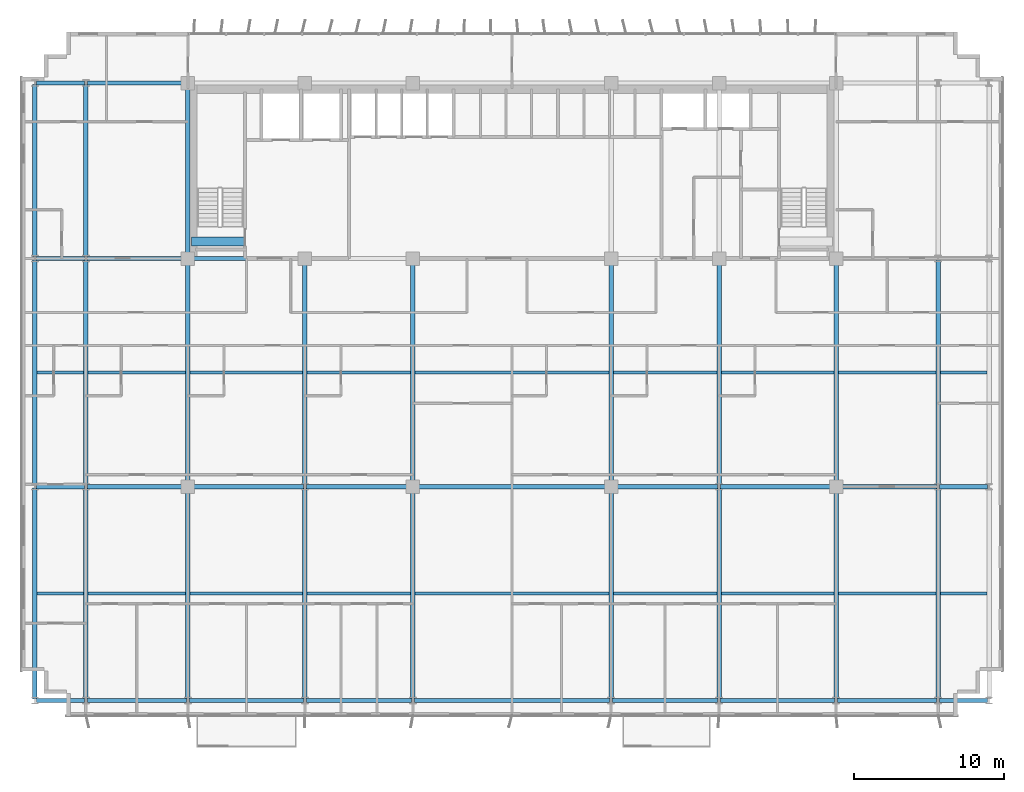
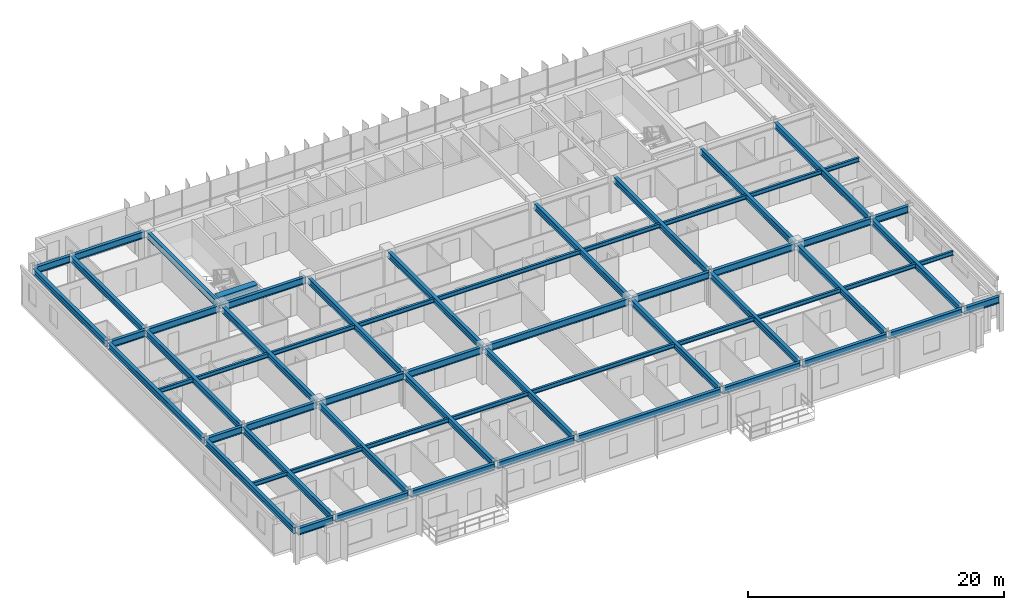
# One storey, part 4 of 24: 63 beams.
"""IFC4 building model written with IfcOpenShell, lengths in metres."""

from ifc_helpers import new_model, si_unit, direction, frame, origin, origin_2d, place, context, subcontext, project, spatial, rectangle, i_section, extrude, source, transform, mapped, material, material_profile, profile_set, type_object, element, save


model = new_model("IFC4")

# Units and contexts
model_context = context("Model", 3, precision=1e-05, world=origin(), true_north=direction((0.0, 1.0)))
body_context = subcontext(model_context, "Body", "Model", "MODEL_VIEW")
ifc_project = project(units=[si_unit("LENGTHUNIT", "METRE"), si_unit("AREAUNIT", "SQUARE_METRE"), si_unit("VOLUMEUNIT", "CUBIC_METRE"), si_unit("PLANEANGLEUNIT", "RADIAN"), si_unit("MASSUNIT", "GRAM", prefix="KILO")], contexts=[model_context])

# Site, building, storey
site_placement = place(None, origin())
site = spatial("IfcSite", under=ifc_project, at=site_placement, CompositionType="ELEMENT")
building_placement = place(site_placement, origin())
building = spatial("IfcBuilding", under=site, at=building_placement, Name="Trelvane Seafront Commons", CompositionType="ELEMENT")
storey_placement = place(building_placement, frame((0.0, 0.0, 27.10009765625)))
storey = spatial("IfcBuildingStorey", under=building, at=storey_placement, Name="L06", CompositionType="ELEMENT", Elevation=27.10009765625)

# Beams
ifc_material_1 = material(Name="Concrete C60/75", Category="concrete")
ifc_material_profile_1 = material_profile(ifc_material_1, rectangle(XDim=0.60009765625, YDim=0.89990234375, at=origin_2d()), Name="RC-600x900")
ifc_profile_set_1 = profile_set([ifc_material_profile_1], Name="Concrete C60/75")
beam_type_1 = type_object("IfcBeamType", Name="STR-LNT-RC600x900", PredefinedType="LINTEL", material=ifc_profile_set_1)
shared_shape_1 = source(origin(), body_context, "Body", "SweptSolid", [
    extrude(rectangle(XDim=0.60009765625, YDim=0.89990234375, at=origin_2d()), origin(), (0.0, 0.0, 1.0), 3.5498046875),
])
beam_1_placement = place(storey_placement, frame((15.85009765625, 34.550048828125, 2.889892578125), z_axis=(1.0, 0.0, 0.0), x_axis=(0.0, 1.0, 0.0)))
element("IfcBeam", 1, at=beam_1_placement, inside=storey, type_object=beam_type_1, Name="L06 Core Coupling Lintel Beam CB-85", PredefinedType="LINTEL", context=body_context, shape_type="MappedRepresentation", body=[
    mapped(shared_shape_1, transform((0.0, 0.0, 0.0), x_axis=(1.0, 0.0, 0.0), y_axis=(0.0, 1.0, 0.0), z_axis=(0.0, 0.0, 1.0), scale=1.0)),
])
ifc_material_2 = material(Name="Steel SM355 (S355)", Category="steel")
ifc_material_profile_2 = material_profile(ifc_material_2, i_section(OverallWidth=0.280029296875, OverallDepth=0.64990234375, WebThickness=0.012939453125, FlangeThickness=0.02197265625, at=origin_2d()), Name="H-650x280x13x22")
ifc_profile_set_2 = profile_set([ifc_material_profile_2], Name="Steel SM355 (S355)")
beam_type_2 = type_object("IfcBeamType", Name="STR-BM-H650", PredefinedType="BEAM", material=ifc_profile_set_2)
shared_shape_2 = source(origin(), body_context, "Body", "SweptSolid", [
    extrude(i_section(OverallWidth=0.280029296875, OverallDepth=0.64990234375, WebThickness=0.012939453125, FlangeThickness=0.02197265625, at=origin_2d()), origin(), (0.0, 0.0, 1.0), 3.190185546875),
])
for number, where, z_axis, x_axis, name in (
    (2, (5.5048828125, 3.949951171875, 3.014892578125), (1.0, 0.0, 0.0), (0.0, 1.0, 0.0), "L06 Primary Girder G-01"),
    (3, (5.5048828125, 18.199951171875, 3.014892578125), (1.0, 0.0, 0.0), (0.0, 1.0, 0.0), "L06 Primary Girder G-10"),
    (4, (5.5048828125, 33.39990234375, 3.014892578125), (1.0, 0.0, 0.0), (0.0, 1.0, 0.0), "L06 Primary Girder G-19"),
    (5, (5.5048828125, 45.10009765625, 3.014892578125), (1.0, 0.0, 0.0), (0.0, 1.0, 0.0), "L06 Primary Girder G-28"),
):
    element("IfcBeam", number, at=place(storey_placement, frame(where, z_axis=z_axis, x_axis=x_axis)), inside=storey, type_object=beam_type_2, Name=name, PredefinedType="BEAM", context=body_context, shape_type="MappedRepresentation", body=[
        mapped(shared_shape_2, transform((0.0, 0.0, 0.0), x_axis=(1.0, 0.0, 0.0), y_axis=(0.0, 1.0, 0.0), z_axis=(0.0, 0.0, 1.0), scale=1.0)),
    ])
shared_shape_3 = source(origin(), body_context, "Body", "SweptSolid", [
    extrude(i_section(OverallWidth=0.280029296875, OverallDepth=0.64990234375, WebThickness=0.012939453125, FlangeThickness=0.02197265625, at=origin_2d()), origin(), (0.0, 0.0, 1.0), 6.590087890625),
])
for number, where, z_axis, x_axis, name in (
    (6, (8.905029296875, 3.949951171875, 3.014892578125), (1.0, 0.0, 0.0), (0.0, 1.0, 0.0), "L06 Primary Girder G-02"),
    (7, (58.905029296875, 3.949951171875, 3.014892578125), (1.0, 0.0, 0.0), (0.0, 1.0, 0.0), "L06 Primary Girder G-08"),
):
    element("IfcBeam", number, at=place(storey_placement, frame(where, z_axis=z_axis, x_axis=x_axis)), inside=storey, type_object=beam_type_2, Name=name, PredefinedType="BEAM", context=body_context, shape_type="MappedRepresentation", body=[
        mapped(shared_shape_3, transform((0.0, 0.0, 0.0), x_axis=(1.0, 0.0, 0.0), y_axis=(0.0, 1.0, 0.0), z_axis=(0.0, 0.0, 1.0), scale=1.0)),
    ])
shared_shape_4 = source(origin(), body_context, "Body", "SweptSolid", [
    extrude(i_section(OverallWidth=0.280029296875, OverallDepth=0.64990234375, WebThickness=0.012939453125, FlangeThickness=0.02197265625, at=origin_2d()), origin(), (0.0, 0.0, 1.0), 7.58984375),
])
beam_2_placement = place(storey_placement, frame((15.705078125, 3.949951171875, 3.014892578125), z_axis=(1.0, 0.0, 0.0), x_axis=(0.0, 1.0, 0.0)))
element("IfcBeam", 8, at=beam_2_placement, inside=storey, type_object=beam_type_2, Name="L06 Primary Girder G-03", PredefinedType="BEAM", context=body_context, shape_type="MappedRepresentation", body=[
    mapped(shared_shape_4, transform((0.0, 0.0, 0.0), x_axis=(1.0, 0.0, 0.0), y_axis=(0.0, 1.0, 0.0), z_axis=(0.0, 0.0, 1.0), scale=1.0)),
])
shared_shape_5 = source(origin(), body_context, "Body", "SweptSolid", [
    extrude(i_section(OverallWidth=0.280029296875, OverallDepth=0.64990234375, WebThickness=0.012939453125, FlangeThickness=0.02197265625, at=origin_2d()), origin(), (0.0, 0.0, 1.0), 6.990234375),
])
beam_3_placement = place(storey_placement, frame((23.5048828125, 3.949951171875, 3.014892578125), z_axis=(1.0, 0.0, 0.0), x_axis=(0.0, 1.0, 0.0)))
element("IfcBeam", 9, at=beam_3_placement, inside=storey, type_object=beam_type_2, Name="L06 Primary Girder G-04", PredefinedType="BEAM", context=body_context, shape_type="MappedRepresentation", body=[
    mapped(shared_shape_5, transform((0.0, 0.0, 0.0), x_axis=(1.0, 0.0, 0.0), y_axis=(0.0, 1.0, 0.0), z_axis=(0.0, 0.0, 1.0), scale=1.0)),
])
shared_shape_6 = source(origin(), body_context, "Body", "SweptSolid", [
    extrude(i_section(OverallWidth=0.280029296875, OverallDepth=0.64990234375, WebThickness=0.012939453125, FlangeThickness=0.02197265625, at=origin_2d()), origin(), (0.0, 0.0, 1.0), 12.989990234375),
])
beam_4_placement = place(storey_placement, frame((30.705078125, 3.949951171875, 3.014892578125), z_axis=(1.0, 0.0, 0.0), x_axis=(0.0, 1.0, 0.0)))
element("IfcBeam", 10, at=beam_4_placement, inside=storey, type_object=beam_type_2, Name="L06 Primary Girder G-05", PredefinedType="BEAM", context=body_context, shape_type="MappedRepresentation", body=[
    mapped(shared_shape_6, transform((0.0, 0.0, 0.0), x_axis=(1.0, 0.0, 0.0), y_axis=(0.0, 1.0, 0.0), z_axis=(0.0, 0.0, 1.0), scale=1.0)),
])
shared_shape_7 = source(origin(), body_context, "Body", "SweptSolid", [
    extrude(i_section(OverallWidth=0.280029296875, OverallDepth=0.64990234375, WebThickness=0.012939453125, FlangeThickness=0.02197265625, at=origin_2d()), origin(), (0.0, 0.0, 1.0), 6.989990234375),
])
beam_5_placement = place(storey_placement, frame((43.905029296875, 3.949951171875, 3.014892578125), z_axis=(1.0, 0.0, 0.0), x_axis=(0.0, 1.0, 0.0)))
element("IfcBeam", 11, at=beam_5_placement, inside=storey, type_object=beam_type_2, Name="L06 Primary Girder G-06", PredefinedType="BEAM", context=body_context, shape_type="MappedRepresentation", body=[
    mapped(shared_shape_7, transform((0.0, 0.0, 0.0), x_axis=(1.0, 0.0, 0.0), y_axis=(0.0, 1.0, 0.0), z_axis=(0.0, 0.0, 1.0), scale=1.0)),
])
shared_shape_8 = source(origin(), body_context, "Body", "SweptSolid", [
    extrude(i_section(OverallWidth=0.280029296875, OverallDepth=0.64990234375, WebThickness=0.012939453125, FlangeThickness=0.02197265625, at=origin_2d()), origin(), (0.0, 0.0, 1.0), 7.590087890625),
])
beam_6_placement = place(storey_placement, frame((51.10498046875, 3.949951171875, 3.014892578125), z_axis=(1.0, 0.0, 0.0), x_axis=(0.0, 1.0, 0.0)))
element("IfcBeam", 12, at=beam_6_placement, inside=storey, type_object=beam_type_2, Name="L06 Primary Girder G-07", PredefinedType="BEAM", context=body_context, shape_type="MappedRepresentation", body=[
    mapped(shared_shape_8, transform((0.0, 0.0, 0.0), x_axis=(1.0, 0.0, 0.0), y_axis=(0.0, 1.0, 0.0), z_axis=(0.0, 0.0, 1.0), scale=1.0)),
])
shared_shape_9 = source(origin(), body_context, "Body", "SweptSolid", [
    extrude(i_section(OverallWidth=0.280029296875, OverallDepth=0.64990234375, WebThickness=0.012939453125, FlangeThickness=0.02197265625, at=origin_2d()), origin(), (0.0, 0.0, 1.0), 3.18994140625),
])
for number, where, z_axis, x_axis, name in (
    (13, (65.705078125, 3.949951171875, 3.014892578125), (1.0, 0.0, 0.0), (0.0, 1.0, 0.0), "L06 Primary Girder G-09"),
    (14, (65.705078125, 18.199951171875, 3.014892578125), (1.0, 0.0, 0.0), (0.0, 1.0, 0.0), "L06 Primary Girder G-18"),
):
    element("IfcBeam", number, at=place(storey_placement, frame(where, z_axis=z_axis, x_axis=x_axis)), inside=storey, type_object=beam_type_2, Name=name, PredefinedType="BEAM", context=body_context, shape_type="MappedRepresentation", body=[
        mapped(shared_shape_9, transform((0.0, 0.0, 0.0), x_axis=(1.0, 0.0, 0.0), y_axis=(0.0, 1.0, 0.0), z_axis=(0.0, 0.0, 1.0), scale=1.0)),
    ])
shared_shape_10 = source(origin(), body_context, "Body", "SweptSolid", [
    extrude(i_section(OverallWidth=0.280029296875, OverallDepth=0.64990234375, WebThickness=0.012939453125, FlangeThickness=0.02197265625, at=origin_2d()), origin(), (0.0, 0.0, 1.0), 6.544921875),
])
for number, where, z_axis, x_axis, name in (
    (15, (8.905029296875, 18.199951171875, 3.014892578125), (1.0, 0.0, 0.0), (0.0, 1.0, 0.0), "L06 Primary Girder G-11"),
    (16, (8.905029296875, 33.39990234375, 3.014892578125), (1.0, 0.0, 0.0), (0.0, 1.0, 0.0), "L06 Primary Girder G-20"),
    (17, (8.905029296875, 45.10009765625, 3.014892578125), (1.0, 0.0, 0.0), (0.0, 1.0, 0.0), "L06 Primary Girder G-29"),
):
    element("IfcBeam", number, at=place(storey_placement, frame(where, z_axis=z_axis, x_axis=x_axis)), inside=storey, type_object=beam_type_2, Name=name, PredefinedType="BEAM", context=body_context, shape_type="MappedRepresentation", body=[
        mapped(shared_shape_10, transform((0.0, 0.0, 0.0), x_axis=(1.0, 0.0, 0.0), y_axis=(0.0, 1.0, 0.0), z_axis=(0.0, 0.0, 1.0), scale=1.0)),
    ])
shared_shape_11 = source(origin(), body_context, "Body", "SweptSolid", [
    extrude(i_section(OverallWidth=0.280029296875, OverallDepth=0.64990234375, WebThickness=0.012939453125, FlangeThickness=0.02197265625, at=origin_2d()), origin(), (0.0, 0.0, 1.0), 7.544921875),
])
for number, where, z_axis, x_axis, name in (
    (18, (15.75, 18.199951171875, 3.014892578125), (1.0, 0.0, 0.0), (0.0, 1.0, 0.0), "L06 Primary Girder G-12"),
    (19, (51.10498046875, 18.199951171875, 3.014892578125), (1.0, 0.0, 0.0), (0.0, 1.0, 0.0), "L06 Primary Girder G-16"),
):
    element("IfcBeam", number, at=place(storey_placement, frame(where, z_axis=z_axis, x_axis=x_axis)), inside=storey, type_object=beam_type_2, Name=name, PredefinedType="BEAM", context=body_context, shape_type="MappedRepresentation", body=[
        mapped(shared_shape_11, transform((0.0, 0.0, 0.0), x_axis=(1.0, 0.0, 0.0), y_axis=(0.0, 1.0, 0.0), z_axis=(0.0, 0.0, 1.0), scale=1.0)),
    ])
shared_shape_12 = source(origin(), body_context, "Body", "SweptSolid", [
    extrude(i_section(OverallWidth=0.280029296875, OverallDepth=0.64990234375, WebThickness=0.012939453125, FlangeThickness=0.02197265625, at=origin_2d()), origin(), (0.0, 0.0, 1.0), 6.945068359375),
])
for number, where, z_axis, x_axis, name in (
    (20, (23.5048828125, 18.199951171875, 3.014892578125), (1.0, 0.0, 0.0), (0.0, 1.0, 0.0), "L06 Primary Girder G-13"),
    (21, (43.949951171875, 18.199951171875, 3.014892578125), (1.0, 0.0, 0.0), (0.0, 1.0, 0.0), "L06 Primary Girder G-15"),
):
    element("IfcBeam", number, at=place(storey_placement, frame(where, z_axis=z_axis, x_axis=x_axis)), inside=storey, type_object=beam_type_2, Name=name, PredefinedType="BEAM", context=body_context, shape_type="MappedRepresentation", body=[
        mapped(shared_shape_12, transform((0.0, 0.0, 0.0), x_axis=(1.0, 0.0, 0.0), y_axis=(0.0, 1.0, 0.0), z_axis=(0.0, 0.0, 1.0), scale=1.0)),
    ])
shared_shape_13 = source(origin(), body_context, "Body", "SweptSolid", [
    extrude(i_section(OverallWidth=0.280029296875, OverallDepth=0.64990234375, WebThickness=0.012939453125, FlangeThickness=0.02197265625, at=origin_2d()), origin(), (0.0, 0.0, 1.0), 12.89990234375),
])
beam_7_placement = place(storey_placement, frame((30.75, 18.199951171875, 3.014892578125), z_axis=(1.0, 0.0, 0.0), x_axis=(0.0, 1.0, 0.0)))
element("IfcBeam", 22, at=beam_7_placement, inside=storey, type_object=beam_type_2, Name="L06 Primary Girder G-14", PredefinedType="BEAM", context=body_context, shape_type="MappedRepresentation", body=[
    mapped(shared_shape_13, transform((0.0, 0.0, 0.0), x_axis=(1.0, 0.0, 0.0), y_axis=(0.0, 1.0, 0.0), z_axis=(0.0, 0.0, 1.0), scale=1.0)),
])
shared_shape_14 = source(origin(), body_context, "Body", "SweptSolid", [
    extrude(i_section(OverallWidth=0.280029296875, OverallDepth=0.64990234375, WebThickness=0.012939453125, FlangeThickness=0.02197265625, at=origin_2d()), origin(), (0.0, 0.0, 1.0), 6.545166015625),
])
beam_8_placement = place(storey_placement, frame((58.949951171875, 18.199951171875, 3.014892578125), z_axis=(1.0, 0.0, 0.0), x_axis=(0.0, 1.0, 0.0)))
element("IfcBeam", 23, at=beam_8_placement, inside=storey, type_object=beam_type_2, Name="L06 Primary Girder G-17", PredefinedType="BEAM", context=body_context, shape_type="MappedRepresentation", body=[
    mapped(shared_shape_14, transform((0.0, 0.0, 0.0), x_axis=(1.0, 0.0, 0.0), y_axis=(0.0, 1.0, 0.0), z_axis=(0.0, 0.0, 1.0), scale=1.0)),
])
shared_shape_15 = source(origin(), body_context, "Body", "SweptSolid", [
    extrude(i_section(OverallWidth=0.280029296875, OverallDepth=0.64990234375, WebThickness=0.012939453125, FlangeThickness=0.02197265625, at=origin_2d()), origin(), (0.0, 0.0, 1.0), 7.5),
])
beam_9_placement = place(storey_placement, frame((15.75, 33.39990234375, 3.014892578125), z_axis=(1.0, 0.0, 0.0), x_axis=(0.0, 1.0, 0.0)))
element("IfcBeam", 24, at=beam_9_placement, inside=storey, type_object=beam_type_2, Name="L06 Primary Girder G-21", PredefinedType="BEAM", context=body_context, shape_type="MappedRepresentation", body=[
    mapped(shared_shape_15, transform((0.0, 0.0, 0.0), x_axis=(1.0, 0.0, 0.0), y_axis=(0.0, 1.0, 0.0), z_axis=(0.0, 0.0, 1.0), scale=1.0)),
])
ifc_material_profile_3 = material_profile(ifc_material_2, i_section(OverallWidth=0.300048828125, OverallDepth=0.587890625, WebThickness=0.011962890625, FlangeThickness=0.02001953125, at=origin_2d()), Name="H-588x300x12x20")
ifc_profile_set_3 = profile_set([ifc_material_profile_3], Name="Steel SM355 (S355)")
beam_type_3 = type_object("IfcBeamType", Name="STR-BM-H588", PredefinedType="BEAM", material=ifc_profile_set_3)
shared_shape_16 = source(origin(), body_context, "Body", "SweptSolid", [
    extrude(i_section(OverallWidth=0.300048828125, OverallDepth=0.587890625, WebThickness=0.011962890625, FlangeThickness=0.02001953125, at=origin_2d()), origin(), (0.0, 0.0, 1.0), 14.0400390625),
])
for number, where, z_axis, x_axis, name in (
    (25, (5.39990234375, 4.054931640625, 3.0458984375), (0.0, 1.0, 0.0), (-1.0, 0.0, 0.0), "L06 Primary Girder G-37"),
    (26, (8.800048828125, 4.054931640625, 3.0458984375), (0.0, 1.0, 0.0), (-1.0, 0.0, 0.0), "L06 Primary Girder G-40"),
    (27, (23.39990234375, 4.054931640625, 3.0458984375), (0.0, 1.0, 0.0), (-1.0, 0.0, 0.0), "L06 Primary Girder G-46"),
    (28, (51.0, 4.054931640625, 3.0458984375), (0.0, 1.0, 0.0), (-1.0, 0.0, 0.0), "L06 Primary Girder G-55"),
    (29, (65.60009765625, 4.054931640625, 3.0458984375), (0.0, 1.0, 0.0), (-1.0, 0.0, 0.0), "L06 Primary Girder G-61"),
):
    element("IfcBeam", number, at=place(storey_placement, frame(where, z_axis=z_axis, x_axis=x_axis)), inside=storey, type_object=beam_type_3, Name=name, PredefinedType="BEAM", context=body_context, shape_type="MappedRepresentation", body=[
        mapped(shared_shape_16, transform((0.0, 0.0, 0.0), x_axis=(1.0, 0.0, 0.0), y_axis=(0.0, 1.0, 0.0), z_axis=(0.0, 0.0, 1.0), scale=1.0)),
    ])
shared_shape_17 = source(origin(), body_context, "Body", "SweptSolid", [
    extrude(i_section(OverallWidth=0.300048828125, OverallDepth=0.587890625, WebThickness=0.011962890625, FlangeThickness=0.02001953125, at=origin_2d()), origin(), (0.0, 0.0, 1.0), 14.989990234375),
])
for number, where, z_axis, x_axis, name in (
    (30, (5.39990234375, 18.304931640625, 3.0458984375), (0.0, 1.0, 0.0), (-1.0, 0.0, 0.0), "L06 Primary Girder G-38"),
    (31, (8.800048828125, 18.304931640625, 3.0458984375), (0.0, 1.0, 0.0), (-1.0, 0.0, 0.0), "L06 Primary Girder G-41"),
    (32, (65.60009765625, 18.304931640625, 3.0458984375), (0.0, 1.0, 0.0), (-1.0, 0.0, 0.0), "L06 Primary Girder G-62"),
):
    element("IfcBeam", number, at=place(storey_placement, frame(where, z_axis=z_axis, x_axis=x_axis)), inside=storey, type_object=beam_type_3, Name=name, PredefinedType="BEAM", context=body_context, shape_type="MappedRepresentation", body=[
        mapped(shared_shape_17, transform((0.0, 0.0, 0.0), x_axis=(1.0, 0.0, 0.0), y_axis=(0.0, 1.0, 0.0), z_axis=(0.0, 0.0, 1.0), scale=1.0)),
    ])
shared_shape_18 = source(origin(), body_context, "Body", "SweptSolid", [
    extrude(i_section(OverallWidth=0.300048828125, OverallDepth=0.587890625, WebThickness=0.011962890625, FlangeThickness=0.02001953125, at=origin_2d()), origin(), (0.0, 0.0, 1.0), 11.490234375),
])
for number, where, z_axis, x_axis, name in (
    (33, (5.39990234375, 33.5048828125, 3.0458984375), (0.0, 1.0, 0.0), (-1.0, 0.0, 0.0), "L06 Primary Girder G-39"),
    (34, (8.800048828125, 33.5048828125, 3.0458984375), (0.0, 1.0, 0.0), (-1.0, 0.0, 0.0), "L06 Primary Girder G-42"),
):
    element("IfcBeam", number, at=place(storey_placement, frame(where, z_axis=z_axis, x_axis=x_axis)), inside=storey, type_object=beam_type_3, Name=name, PredefinedType="BEAM", context=body_context, shape_type="MappedRepresentation", body=[
        mapped(shared_shape_18, transform((0.0, 0.0, 0.0), x_axis=(1.0, 0.0, 0.0), y_axis=(0.0, 1.0, 0.0), z_axis=(0.0, 0.0, 1.0), scale=1.0)),
    ])
shared_shape_19 = source(origin(), body_context, "Body", "SweptSolid", [
    extrude(i_section(OverallWidth=0.300048828125, OverallDepth=0.587890625, WebThickness=0.011962890625, FlangeThickness=0.02001953125, at=origin_2d()), origin(), (0.0, 0.0, 1.0), 13.9951171875),
])
for number, where, z_axis, x_axis, name in (
    (35, (15.60009765625, 4.054931640625, 3.0458984375), (0.0, 1.0, 0.0), (-1.0, 0.0, 0.0), "L06 Primary Girder G-43"),
    (36, (30.60009765625, 4.054931640625, 3.0458984375), (0.0, 1.0, 0.0), (-1.0, 0.0, 0.0), "L06 Primary Girder G-49"),
    (37, (43.800048828125, 4.054931640625, 3.0458984375), (0.0, 1.0, 0.0), (-1.0, 0.0, 0.0), "L06 Primary Girder G-52"),
    (38, (58.800048828125, 4.054931640625, 3.0458984375), (0.0, 1.0, 0.0), (-1.0, 0.0, 0.0), "L06 Primary Girder G-58"),
):
    element("IfcBeam", number, at=place(storey_placement, frame(where, z_axis=z_axis, x_axis=x_axis)), inside=storey, type_object=beam_type_3, Name=name, PredefinedType="BEAM", context=body_context, shape_type="MappedRepresentation", body=[
        mapped(shared_shape_19, transform((0.0, 0.0, 0.0), x_axis=(1.0, 0.0, 0.0), y_axis=(0.0, 1.0, 0.0), z_axis=(0.0, 0.0, 1.0), scale=1.0)),
    ])
shared_shape_20 = source(origin(), body_context, "Body", "SweptSolid", [
    extrude(i_section(OverallWidth=0.300048828125, OverallDepth=0.587890625, WebThickness=0.011962890625, FlangeThickness=0.02001953125, at=origin_2d()), origin(), (0.0, 0.0, 1.0), 14.89990234375),
])
for number, where, z_axis, x_axis, name in (
    (39, (15.60009765625, 18.35009765625, 3.0458984375), (0.0, 1.0, 0.0), (-1.0, 0.0, 0.0), "L06 Primary Girder G-44"),
    (40, (30.60009765625, 18.35009765625, 3.0458984375), (0.0, 1.0, 0.0), (-1.0, 0.0, 0.0), "L06 Primary Girder G-50"),
    (41, (43.800048828125, 18.35009765625, 3.0458984375), (0.0, 1.0, 0.0), (-1.0, 0.0, 0.0), "L06 Primary Girder G-53"),
    (42, (58.800048828125, 18.35009765625, 3.0458984375), (0.0, 1.0, 0.0), (-1.0, 0.0, 0.0), "L06 Primary Girder G-59"),
):
    element("IfcBeam", number, at=place(storey_placement, frame(where, z_axis=z_axis, x_axis=x_axis)), inside=storey, type_object=beam_type_3, Name=name, PredefinedType="BEAM", context=body_context, shape_type="MappedRepresentation", body=[
        mapped(shared_shape_20, transform((0.0, 0.0, 0.0), x_axis=(1.0, 0.0, 0.0), y_axis=(0.0, 1.0, 0.0), z_axis=(0.0, 0.0, 1.0), scale=1.0)),
    ])
shared_shape_21 = source(origin(), body_context, "Body", "SweptSolid", [
    extrude(i_section(OverallWidth=0.300048828125, OverallDepth=0.587890625, WebThickness=0.011962890625, FlangeThickness=0.02001953125, at=origin_2d()), origin(), (0.0, 0.0, 1.0), 11.39990234375),
])
beam_10_placement = place(storey_placement, frame((15.60009765625, 33.550048828125, 3.0458984375), z_axis=(0.0, 1.0, 0.0), x_axis=(-1.0, 0.0, 0.0)))
element("IfcBeam", 43, at=beam_10_placement, inside=storey, type_object=beam_type_3, Name="L06 Primary Girder G-45", PredefinedType="BEAM", context=body_context, shape_type="MappedRepresentation", body=[
    mapped(shared_shape_21, transform((0.0, 0.0, 0.0), x_axis=(1.0, 0.0, 0.0), y_axis=(0.0, 1.0, 0.0), z_axis=(0.0, 0.0, 1.0), scale=1.0)),
])
shared_shape_22 = source(origin(), body_context, "Body", "SweptSolid", [
    extrude(i_section(OverallWidth=0.300048828125, OverallDepth=0.587890625, WebThickness=0.011962890625, FlangeThickness=0.02001953125, at=origin_2d()), origin(), (0.0, 0.0, 1.0), 14.945068359375),
])
for number, where, z_axis, x_axis, name in (
    (44, (23.39990234375, 18.304931640625, 3.0458984375), (0.0, 1.0, 0.0), (-1.0, 0.0, 0.0), "L06 Primary Girder G-47"),
    (45, (51.0, 18.304931640625, 3.0458984375), (0.0, 1.0, 0.0), (-1.0, 0.0, 0.0), "L06 Primary Girder G-56"),
):
    element("IfcBeam", number, at=place(storey_placement, frame(where, z_axis=z_axis, x_axis=x_axis)), inside=storey, type_object=beam_type_3, Name=name, PredefinedType="BEAM", context=body_context, shape_type="MappedRepresentation", body=[
        mapped(shared_shape_22, transform((0.0, 0.0, 0.0), x_axis=(1.0, 0.0, 0.0), y_axis=(0.0, 1.0, 0.0), z_axis=(0.0, 0.0, 1.0), scale=1.0)),
    ])
ifc_material_profile_4 = material_profile(ifc_material_2, i_section(OverallWidth=0.199951171875, OverallDepth=0.39990234375, WebThickness=0.008056640625, FlangeThickness=0.012939453125, at=origin_2d()), Name="H-400x200x8x13")
ifc_profile_set_4 = profile_set([ifc_material_profile_4], Name="Steel SM355 (S355)")
beam_type_4 = type_object("IfcBeamType", Name="STR-JST-H400", PredefinedType="JOIST", material=ifc_profile_set_4)
shared_shape_23 = source(origin(), body_context, "Body", "SweptSolid", [
    extrude(i_section(OverallWidth=0.199951171875, OverallDepth=0.39990234375, WebThickness=0.008056640625, FlangeThickness=0.012939453125, at=origin_2d()), origin(), (0.0, 0.0, 1.0), 3.099853515625),
])
for number, where, z_axis, x_axis, name in (
    (46, (5.550048828125, 11.074951171875, 3.139892578125), (1.0, 0.0, 0.0), (0.0, 1.0, 0.0), "L06 Secondary Floor Joist B-67"),
    (47, (5.550048828125, 25.800048828125, 3.139892578125), (1.0, 0.0, 0.0), (0.0, 1.0, 0.0), "L06 Secondary Floor Joist B-76"),
):
    element("IfcBeam", number, at=place(storey_placement, frame(where, z_axis=z_axis, x_axis=x_axis)), inside=storey, type_object=beam_type_4, Name=name, PredefinedType="JOIST", context=body_context, shape_type="MappedRepresentation", body=[
        mapped(shared_shape_23, transform((0.0, 0.0, 0.0), x_axis=(1.0, 0.0, 0.0), y_axis=(0.0, 1.0, 0.0), z_axis=(0.0, 0.0, 1.0), scale=1.0)),
    ])
shared_shape_24 = source(origin(), body_context, "Body", "SweptSolid", [
    extrude(i_section(OverallWidth=0.199951171875, OverallDepth=0.39990234375, WebThickness=0.008056640625, FlangeThickness=0.012939453125, at=origin_2d()), origin(), (0.0, 0.0, 1.0), 6.5),
])
for number, where, z_axis, x_axis, name in (
    (48, (8.949951171875, 11.074951171875, 3.139892578125), (1.0, 0.0, 0.0), (0.0, 1.0, 0.0), "L06 Secondary Floor Joist B-68"),
    (49, (58.949951171875, 11.074951171875, 3.139892578125), (1.0, 0.0, 0.0), (0.0, 1.0, 0.0), "L06 Secondary Floor Joist B-74"),
    (50, (8.949951171875, 25.800048828125, 3.139892578125), (1.0, 0.0, 0.0), (0.0, 1.0, 0.0), "L06 Secondary Floor Joist B-77"),
    (51, (58.949951171875, 25.800048828125, 3.139892578125), (1.0, 0.0, 0.0), (0.0, 1.0, 0.0), "L06 Secondary Floor Joist B-83"),
):
    element("IfcBeam", number, at=place(storey_placement, frame(where, z_axis=z_axis, x_axis=x_axis)), inside=storey, type_object=beam_type_4, Name=name, PredefinedType="JOIST", context=body_context, shape_type="MappedRepresentation", body=[
        mapped(shared_shape_24, transform((0.0, 0.0, 0.0), x_axis=(1.0, 0.0, 0.0), y_axis=(0.0, 1.0, 0.0), z_axis=(0.0, 0.0, 1.0), scale=1.0)),
    ])
shared_shape_25 = source(origin(), body_context, "Body", "SweptSolid", [
    extrude(i_section(OverallWidth=0.199951171875, OverallDepth=0.39990234375, WebThickness=0.008056640625, FlangeThickness=0.012939453125, at=origin_2d()), origin(), (0.0, 0.0, 1.0), 7.5),
])
for number, where, z_axis, x_axis, name in (
    (52, (15.75, 11.074951171875, 3.139892578125), (1.0, 0.0, 0.0), (0.0, 1.0, 0.0), "L06 Secondary Floor Joist B-69"),
    (53, (51.14990234375, 11.074951171875, 3.139892578125), (1.0, 0.0, 0.0), (0.0, 1.0, 0.0), "L06 Secondary Floor Joist B-73"),
    (54, (15.75, 25.800048828125, 3.139892578125), (1.0, 0.0, 0.0), (0.0, 1.0, 0.0), "L06 Secondary Floor Joist B-78"),
    (55, (51.14990234375, 25.800048828125, 3.139892578125), (1.0, 0.0, 0.0), (0.0, 1.0, 0.0), "L06 Secondary Floor Joist B-82"),
):
    element("IfcBeam", number, at=place(storey_placement, frame(where, z_axis=z_axis, x_axis=x_axis)), inside=storey, type_object=beam_type_4, Name=name, PredefinedType="JOIST", context=body_context, shape_type="MappedRepresentation", body=[
        mapped(shared_shape_25, transform((0.0, 0.0, 0.0), x_axis=(1.0, 0.0, 0.0), y_axis=(0.0, 1.0, 0.0), z_axis=(0.0, 0.0, 1.0), scale=1.0)),
    ])
shared_shape_26 = source(origin(), body_context, "Body", "SweptSolid", [
    extrude(i_section(OverallWidth=0.199951171875, OverallDepth=0.39990234375, WebThickness=0.008056640625, FlangeThickness=0.012939453125, at=origin_2d()), origin(), (0.0, 0.0, 1.0), 6.89990234375),
])
for number, where, z_axis, x_axis, name in (
    (56, (23.550048828125, 11.074951171875, 3.139892578125), (1.0, 0.0, 0.0), (0.0, 1.0, 0.0), "L06 Secondary Floor Joist B-70"),
    (57, (23.550048828125, 25.800048828125, 3.139892578125), (1.0, 0.0, 0.0), (0.0, 1.0, 0.0), "L06 Secondary Floor Joist B-79"),
):
    element("IfcBeam", number, at=place(storey_placement, frame(where, z_axis=z_axis, x_axis=x_axis)), inside=storey, type_object=beam_type_4, Name=name, PredefinedType="JOIST", context=body_context, shape_type="MappedRepresentation", body=[
        mapped(shared_shape_26, transform((0.0, 0.0, 0.0), x_axis=(1.0, 0.0, 0.0), y_axis=(0.0, 1.0, 0.0), z_axis=(0.0, 0.0, 1.0), scale=1.0)),
    ])
shared_shape_27 = source(origin(), body_context, "Body", "SweptSolid", [
    extrude(i_section(OverallWidth=0.199951171875, OverallDepth=0.39990234375, WebThickness=0.008056640625, FlangeThickness=0.012939453125, at=origin_2d()), origin(), (0.0, 0.0, 1.0), 12.89990234375),
])
for number, where, z_axis, x_axis, name in (
    (58, (30.75, 11.074951171875, 3.139892578125), (1.0, 0.0, 0.0), (0.0, 1.0, 0.0), "L06 Secondary Floor Joist B-71"),
    (59, (30.75, 25.800048828125, 3.139892578125), (1.0, 0.0, 0.0), (0.0, 1.0, 0.0), "L06 Secondary Floor Joist B-80"),
):
    element("IfcBeam", number, at=place(storey_placement, frame(where, z_axis=z_axis, x_axis=x_axis)), inside=storey, type_object=beam_type_4, Name=name, PredefinedType="JOIST", context=body_context, shape_type="MappedRepresentation", body=[
        mapped(shared_shape_27, transform((0.0, 0.0, 0.0), x_axis=(1.0, 0.0, 0.0), y_axis=(0.0, 1.0, 0.0), z_axis=(0.0, 0.0, 1.0), scale=1.0)),
    ])
shared_shape_28 = source(origin(), body_context, "Body", "SweptSolid", [
    extrude(i_section(OverallWidth=0.199951171875, OverallDepth=0.39990234375, WebThickness=0.008056640625, FlangeThickness=0.012939453125, at=origin_2d()), origin(), (0.0, 0.0, 1.0), 6.900146484375),
])
for number, where, z_axis, x_axis, name in (
    (60, (43.949951171875, 11.074951171875, 3.139892578125), (1.0, 0.0, 0.0), (0.0, 1.0, 0.0), "L06 Secondary Floor Joist B-72"),
    (61, (43.949951171875, 25.800048828125, 3.139892578125), (1.0, 0.0, 0.0), (0.0, 1.0, 0.0), "L06 Secondary Floor Joist B-81"),
):
    element("IfcBeam", number, at=place(storey_placement, frame(where, z_axis=z_axis, x_axis=x_axis)), inside=storey, type_object=beam_type_4, Name=name, PredefinedType="JOIST", context=body_context, shape_type="MappedRepresentation", body=[
        mapped(shared_shape_28, transform((0.0, 0.0, 0.0), x_axis=(1.0, 0.0, 0.0), y_axis=(0.0, 1.0, 0.0), z_axis=(0.0, 0.0, 1.0), scale=1.0)),
    ])
shared_shape_29 = source(origin(), body_context, "Body", "SweptSolid", [
    extrude(i_section(OverallWidth=0.199951171875, OverallDepth=0.39990234375, WebThickness=0.008056640625, FlangeThickness=0.012939453125, at=origin_2d()), origin(), (0.0, 0.0, 1.0), 3.10009765625),
])
for number, where, z_axis, x_axis, name in (
    (62, (65.75, 11.074951171875, 3.139892578125), (1.0, 0.0, 0.0), (0.0, 1.0, 0.0), "L06 Secondary Floor Joist B-75"),
    (63, (65.75, 25.800048828125, 3.139892578125), (1.0, 0.0, 0.0), (0.0, 1.0, 0.0), "L06 Secondary Floor Joist B-84"),
):
    element("IfcBeam", number, at=place(storey_placement, frame(where, z_axis=z_axis, x_axis=x_axis)), inside=storey, type_object=beam_type_4, Name=name, PredefinedType="JOIST", context=body_context, shape_type="MappedRepresentation", body=[
        mapped(shared_shape_29, transform((0.0, 0.0, 0.0), x_axis=(1.0, 0.0, 0.0), y_axis=(0.0, 1.0, 0.0), z_axis=(0.0, 0.0, 1.0), scale=1.0)),
    ])

save(model, "model.ifc")
